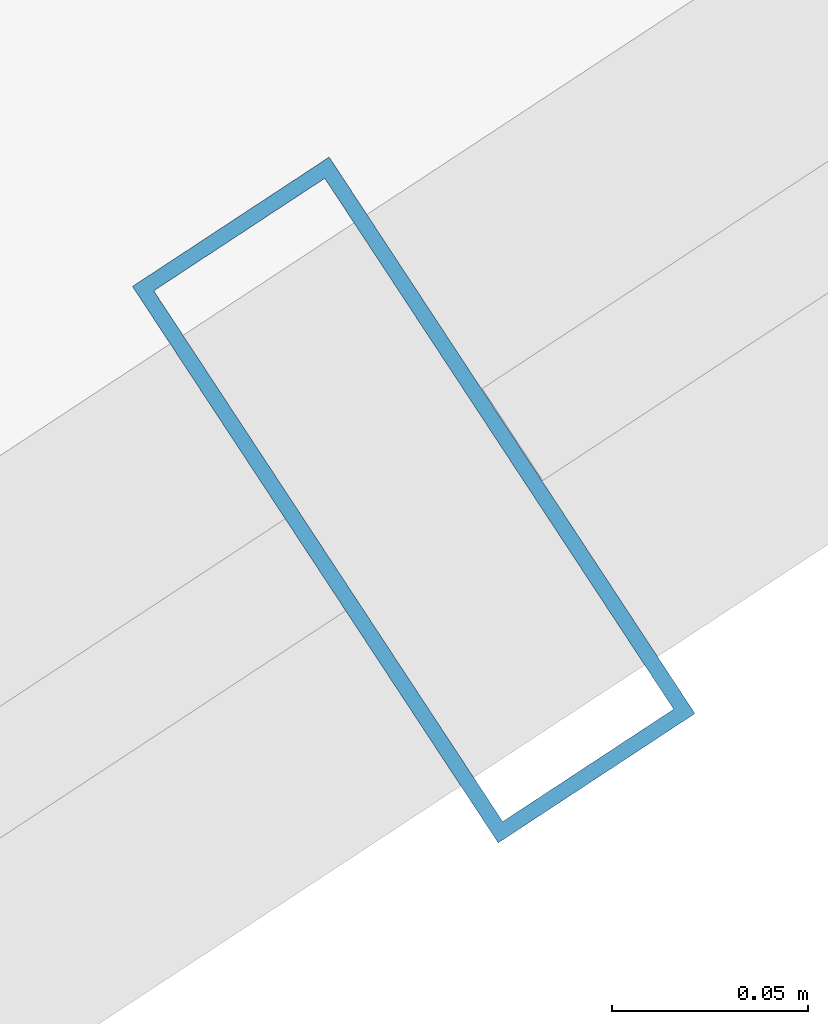
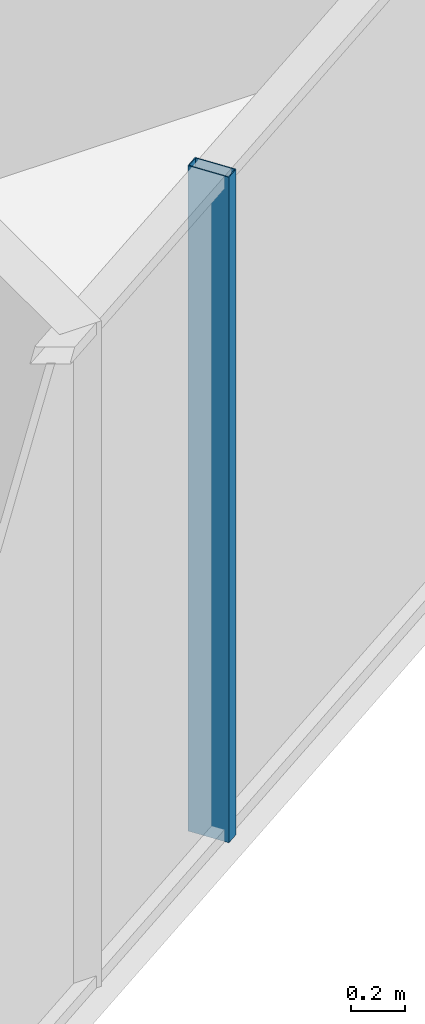
# One storey, part 8 of 33: 1 member, 1 element without a shape of its own.
"""IFC4 building model written with IfcOpenShell, lengths in metres."""

from ifc_helpers import new_model, si_unit, direction, frame, origin, origin_2d, place, context, subcontext, project, spatial, hollow_rectangle, extrude, source, transform, mapped, material, layer, layer_set, material_profile, profile_set, type_object, element, aggregate, save


model = new_model("IFC4")

# Units and contexts
model_context = context("Model", 3, precision=1e-05, world=origin(), true_north=direction((0.0, 1.0)))
body_context = subcontext(model_context, "Body", "Model", "MODEL_VIEW")
ifc_project = project(units=[si_unit("LENGTHUNIT", "METRE"), si_unit("AREAUNIT", "SQUARE_METRE"), si_unit("VOLUMEUNIT", "CUBIC_METRE"), si_unit("PLANEANGLEUNIT", "RADIAN"), si_unit("MASSUNIT", "GRAM", prefix="KILO")], contexts=[model_context])

# Site, building, storey
site_placement = place(None, origin())
site = spatial("IfcSite", under=ifc_project, at=site_placement, CompositionType="ELEMENT")
building_placement = place(site_placement, origin())
building = spatial("IfcBuilding", under=site, at=building_placement, Name="Veraguas Prism Commons", CompositionType="ELEMENT")
storey_placement = place(building_placement, frame((0.0, 0.0, 139.25)))
storey = spatial("IfcBuildingStorey", under=building, at=storey_placement, Name="L39", CompositionType="ELEMENT", Elevation=139.25)

# Curtain wall, member
ifc_material = material(Name="Anodised aluminium EN AW-6063 T6", Category="aluminium")
ifc_layer = layer(ifc_material, 0.169921875, Name="Unitised Flush Curtain Wall Zone 2", Category="aluminium")
ifc_layer_set = layer_set([ifc_layer], Name="Anodised aluminium EN AW-6063 T6")
curtain_wall_type = type_object("IfcCurtainWallType", Name="Unitised Flush Curtain Wall Zone 2", PredefinedType="NOTDEFINED", material=ifc_layer_set)
curtain_wall_placement = place(storey_placement, origin())
curtain_wall = element("IfcCurtainWall", 1, at=curtain_wall_placement, inside=storey, type_object=curtain_wall_type, Name="Tower Facade Curtain Wall L39-F5", PredefinedType="NOTDEFINED")
ifc_material_profile = material_profile(ifc_material, hollow_rectangle(XDim=0.06005859375, YDim=0.169921875, WallThickness=0.00390625, at=origin_2d()), Name="AL60X170X4")
ifc_profile_set = profile_set([ifc_material_profile], Name="Anodised aluminium EN AW-6063 T6")
member_type = type_object("IfcMemberType", Name="Curtain Wall Mullion Lower AL 60x170x4", PredefinedType="MULLION", material=ifc_profile_set)
shared_shape = source(origin(), body_context, "Body", "SweptSolid", [
    extrude(hollow_rectangle(XDim=0.06005859375, YDim=0.169921875, WallThickness=0.00390625, at=origin_2d()), origin(), (0.0, 0.0, 1.0), 3.0),
])
member_placement = place(storey_placement, frame((34.537109375, 7.970703125, 0.0), z_axis=(0.0, 0.0, 1.0), x_axis=(0.835619500254, 0.54930870264, 0.0)))
member = element("IfcMember", 2, at=member_placement, type_object=member_type, Name="CW-Z2 Mullion 3", PredefinedType="MULLION", context=body_context, shape_type="MappedRepresentation", body=[
    mapped(shared_shape, transform((0.0, 0.0, 0.0), scale=1.0)),
])
aggregate(curtain_wall, [member])

save(model, "model.ifc")
